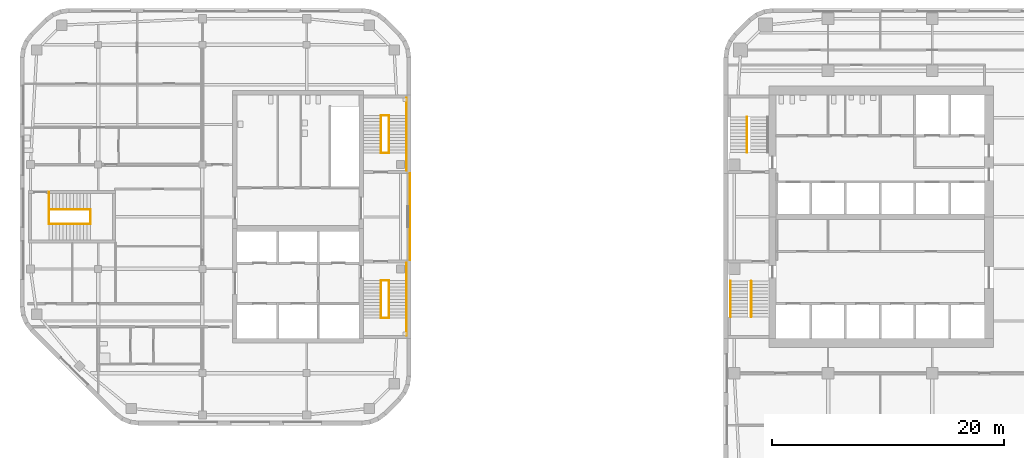
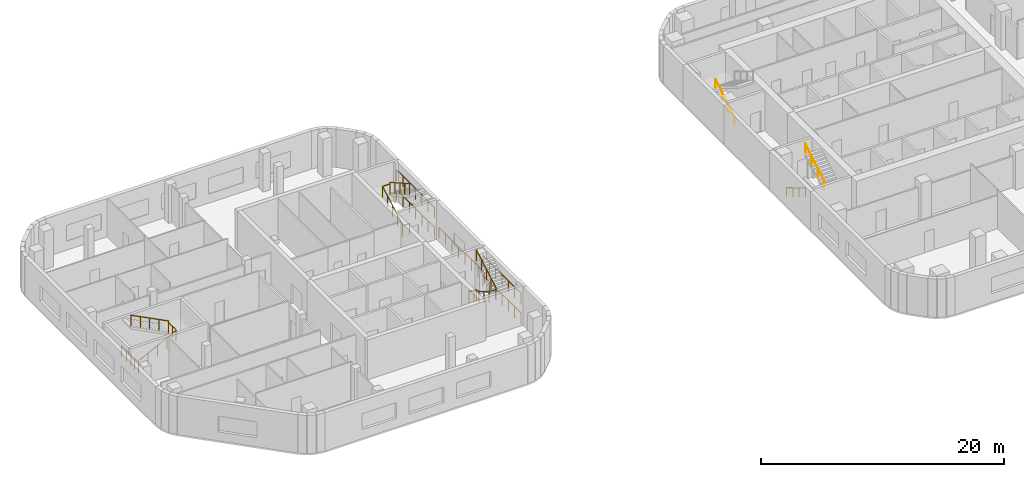
# One storey, part 12 of 14: 21 railings, 2 elements without a shape of their own.
"""IFC4 building model written with IfcOpenShell, lengths in metres."""

import ifcopenshell
import ifcopenshell.guid

model = None  # the IFC model being written
_history = None  # IfcOwnerHistory: only IFC2X3 demands one
_inside = {}  # id of a spatial element -> (the spatial element, [elements in it])
_under = {}  # id of a project, library or spatial element -> (it, [spatial elements below it])
_declared = {}  # id of a project -> (the project, [libraries it declares])
_typed = {}  # id of a type object -> (the type object, [elements of that type])
_made_of = {}  # id of a material, layer set ... -> (it, [elements and type objects made of it])


def new_model(schema):
    """Start an empty IFC model of exactly this schema.

    Asked for "IFC4X3", IfcOpenShell would pick the latest addendum, in which some entities
    have other attributes; the version numbers below select the first issue.
    IFC2X3 requires an IfcOwnerHistory on every rooted entity: one is made here for all.
    """
    global model, _history
    if schema == "IFC4X3":
        model = ifcopenshell.file(schema_version=(4, 3, 0, 0))
    else:
        model = ifcopenshell.file(schema=schema)
    _inside.clear()
    _under.clear()
    _declared.clear()
    _typed.clear()
    _made_of.clear()
    _history = None
    if model.schema == "IFC2X3":
        org = make("IfcOrganization", Name="unknown")
        user = make(
            "IfcPersonAndOrganization",
            ThePerson=make("IfcPerson", FamilyName="unknown"),
            TheOrganization=org,
        )
        app = make(
            "IfcApplication",
            ApplicationDeveloper=org,
            Version="unknown",
            ApplicationFullName="unknown",
            ApplicationIdentifier="unknown",
        )
        _history = make(
            "IfcOwnerHistory",
            OwningUser=user,
            OwningApplication=app,
            ChangeAction="ADDED",
            CreationDate=0,
        )
    return model


def make(cls, **values):
    """One entity of the class cls with the attributes given. An attribute that is None is left unset."""
    return model.create_entity(
        cls, **{name: value for name, value in values.items() if value is not None}
    )


def rooted(cls, **values):
    """An entity with a GlobalId (a new one), such as an element, a storey or a relation."""
    return make(cls, GlobalId=ifcopenshell.guid.new(), OwnerHistory=_history, **values)


def si_unit(unit_type, name, prefix=None):
    """IfcSIUnit, for example si_unit("LENGTHUNIT", "METRE", prefix="MILLI")."""
    return make("IfcSIUnit", UnitType=unit_type, Prefix=prefix, Name=name)


def assignment(units):
    """IfcUnitAssignment: the units of a project."""
    return None if units is None else make("IfcUnitAssignment", Units=units)


def point(xyz):
    """IfcCartesianPoint."""
    return None if xyz is None else make("IfcCartesianPoint", Coordinates=xyz)


def direction(xyz):
    """IfcDirection."""
    return None if xyz is None else make("IfcDirection", DirectionRatios=xyz)


def frame(location, z_axis=None, x_axis=None):
    """IfcAxis2Placement3D, a coordinate frame: its origin and axes. An axis left out is left unset."""
    return make(
        "IfcAxis2Placement3D",
        Location=point(location),
        Axis=direction(z_axis),
        RefDirection=direction(x_axis),
    )


def frame_2d(location, x_axis=None):
    """IfcAxis2Placement2D, a coordinate frame in the plane: its origin and x axis."""
    return make(
        "IfcAxis2Placement2D", Location=point(location), RefDirection=direction(x_axis)
    )


def origin():
    """The frame at (0, 0, 0) with its axes left unset."""
    return frame((0.0, 0.0, 0.0))


def origin_2d():
    """The frame at (0, 0) in the plane with its x axis left unset."""
    return frame_2d((0.0, 0.0))


def place(relative_to, where):
    """IfcLocalPlacement: puts the frame where relative to a parent placement (None: the world)."""
    return make(
        "IfcLocalPlacement", PlacementRelTo=relative_to, RelativePlacement=where
    )


def context(
    kind, dimensions, precision=None, world=None, true_north=None, identifier=None
):
    """IfcGeometricRepresentationContext, for example the 3D "Model" context."""
    return make(
        "IfcGeometricRepresentationContext",
        ContextIdentifier=identifier,
        ContextType=kind,
        CoordinateSpaceDimension=dimensions,
        Precision=precision,
        WorldCoordinateSystem=world,
        TrueNorth=true_north,
    )


def subcontext(parent, identifier, kind, view, scale=None):
    """IfcGeometricRepresentationSubContext, for example "Body" below "Model"."""
    return make(
        "IfcGeometricRepresentationSubContext",
        ContextIdentifier=identifier,
        ContextType=kind,
        ParentContext=parent,
        TargetScale=scale,
        TargetView=view,
    )


def project(units=None, contexts=None):
    """IfcProject with its units and contexts."""
    return rooted(
        "IfcProject",
        Name="project",
        RepresentationContexts=contexts,
        UnitsInContext=assignment(units),
    )


def spatial(cls, under=None, at=None, **own):
    """A site, building, storey or space (cls), placed at a placement, below another one or the project."""
    s = rooted(cls, ObjectPlacement=at, **own)
    if under is not None:
        _under.setdefault(under.id(), (under, []))[1].append(s)
    return s


def profile(cls, at=None, kind="AREA", **sizes):
    """A parametric profile (cls). Its sizes go by their IFC names, for example OverallWidth=200.0."""
    return make(cls, ProfileType=kind, Position=at, **sizes)


def circle(**sizes):
    """IfcCircleProfileDef."""
    return profile("IfcCircleProfileDef", **sizes)


def extrude(swept, where, along, depth):
    """IfcExtrudedAreaSolid: the profile swept, set in the frame where, extruded along a direction by depth."""
    return make(
        "IfcExtrudedAreaSolid",
        SweptArea=swept,
        Position=where,
        ExtrudedDirection=direction(along),
        Depth=depth,
    )


def shape(context_of_items, identifier, shape_type, items):
    """IfcShapeRepresentation: the items that make up one representation, for example the "Body"."""
    return make(
        "IfcShapeRepresentation",
        ContextOfItems=context_of_items,
        RepresentationIdentifier=identifier,
        RepresentationType=shape_type,
        Items=items,
    )


def material(Name=None, Category=None):
    """IfcMaterial."""
    return make("IfcMaterial", Name=Name, Category=Category)


def made_of(thing, what):
    """Note that an element or type object is made of a material, layer set ...; save() writes the relation."""
    if what is not None:
        _made_of.setdefault(what.id(), (what, []))[1].append(thing)
    return thing


def type_object(cls, material=None, **own):
    """A type object (cls), such as IfcWallType, which elements share."""
    return made_of(rooted(cls, **own), material)


def element(
    cls,
    number,
    at=None,
    inside=None,
    cuts=None,
    type_object=None,
    material=None,
    context=None,
    identifier="Body",
    shape_type=None,
    held_by="IfcProductDefinitionShape",
    body=None,
    shapes=None,
    **own,
):
    """One element of the class cls, such as IfcWall. Its Tag is "e" and its number.

    at: its placement. inside: the storey or other place that contains it. cuts: it is an
    opening in that element (IfcRelVoidsElement). A single representation is given by context,
    identifier, shape_type and body (its items); several are given by shapes. held_by: the class
    of the entity that holds the representations. save() writes the other relations.
    """
    e = rooted(cls, Tag="e%d" % number, ObjectPlacement=at, **own)
    if body is not None:
        shapes = [shape(context, identifier, shape_type, body)]
    if shapes is not None:
        e.Representation = make(held_by, Representations=shapes)
    if inside is not None:
        _inside.setdefault(inside.id(), (inside, []))[1].append(e)
    if cuts is not None:
        rooted(
            "IfcRelVoidsElement", RelatingBuildingElement=cuts, RelatedOpeningElement=e
        )
    if type_object is not None:
        _typed.setdefault(type_object.id(), (type_object, []))[1].append(e)
    return made_of(e, material)


def aggregate(whole, parts):
    """IfcRelAggregates: a whole, such as a stair, and the parts it consists of."""
    return rooted("IfcRelAggregates", RelatingObject=whole, RelatedObjects=parts)


def save(model, path):
    """Write the relations noted so far, then the file.

    IfcRelAggregates (storeys below a building ...), IfcRelContainedInSpatialStructure (elements
    in a storey), IfcRelDefinesByType, IfcRelAssociatesMaterial and IfcRelDeclares: one each for
    every whole, place, type object, material and project.
    """
    for whole, parts in _under.values():
        aggregate(whole, parts)
    for where, things in _inside.values():
        rooted(
            "IfcRelContainedInSpatialStructure",
            RelatedElements=things,
            RelatingStructure=where,
        )
    for kind, things in _typed.values():
        rooted("IfcRelDefinesByType", RelatedObjects=things, RelatingType=kind)
    for what, things in _made_of.values():
        rooted("IfcRelAssociatesMaterial", RelatedObjects=things, RelatingMaterial=what)
    for by, libraries in _declared.values():
        rooted("IfcRelDeclares", RelatingContext=by, RelatedDefinitions=libraries)
    model.write(path)


model = new_model("IFC4")

# Units and contexts
model_context = context("Model", 3, precision=1e-05, world=origin(), true_north=direction((0.0, 1.0)))
body_context = subcontext(model_context, "Body", "Model", "MODEL_VIEW")
ifc_project = project(units=[si_unit("LENGTHUNIT", "METRE"), si_unit("AREAUNIT", "SQUARE_METRE"), si_unit("VOLUMEUNIT", "CUBIC_METRE"), si_unit("PLANEANGLEUNIT", "RADIAN"), si_unit("MASSUNIT", "GRAM", prefix="KILO")], contexts=[model_context])

# Site, building, storey
site_placement = place(None, origin())
site = spatial("IfcSite", under=ifc_project, at=site_placement, CompositionType="ELEMENT")
building_placement = place(site_placement, origin())
building = spatial("IfcBuilding", under=site, at=building_placement, Name="Cinnabar Reach Civic Tower", CompositionType="ELEMENT")
storey_placement = place(building_placement, frame((0.0, 0.0, 112.0)))
storey = spatial("IfcBuildingStorey", under=building, at=storey_placement, Name="L26", CompositionType="ELEMENT", Elevation=112.0)

# Stair, railings
ifc_material_1 = material(Name="Concrete C40/50", Category="concrete")
stair_type = type_object("IfcStairType", Name="T1 Exit stair, half-turn", PredefinedType="HALF_TURN_STAIR", material=ifc_material_1)
stair_1_placement = place(storey_placement, origin())
stair_1 = element("IfcStair", 1, at=stair_1_placement, inside=storey, type_object=stair_type, Name="Stair T1-S1", PredefinedType="HALF_TURN_STAIR")
ifc_material_2 = material(Name="Stainless steel tube", Category="steel")
railing_type_1 = type_object("IfcRailingType", Name="T1 Stair handrail, stainless tube 48", PredefinedType="HANDRAIL", material=ifc_material_2)
railing_1_placement = place(storey_placement, frame((0.6, 25.95, 0.1667)))
railing_1 = element("IfcRailing", 2, at=railing_1_placement, type_object=railing_type_1, Name="T1-S1 handrail 1", PredefinedType="HANDRAIL", context=body_context, shape_type="SweptSolid", body=[
    extrude(circle(Radius=0.024, at=origin_2d()), frame((0.0, 0.0, 0.876), z_axis=(0.0, -0.859296971757, 0.511476992962), x_axis=(1.0, 0.0, 0.0)), (0.0, 0.0, 1.0), 3.5843),
    extrude(circle(Radius=0.021, at=origin_2d()), origin(), (0.0, 0.0, 1.0), 0.852),
    extrude(circle(Radius=0.021, at=origin_2d()), frame((0.0, -1.0267, 0.6111)), (0.0, 0.0, 1.0), 0.852),
    extrude(circle(Radius=0.021, at=origin_2d()), frame((0.0, -2.0533, 1.2222)), (0.0, 0.0, 1.0), 0.852),
    extrude(circle(Radius=0.021, at=origin_2d()), frame((0.0, -3.08, 1.8333)), (0.0, 0.0, 1.0), 0.852),
])
railing_2_placement = place(storey_placement, frame((2.375, 22.87, 2.1667)))
railing_2 = element("IfcRailing", 3, at=railing_2_placement, type_object=railing_type_1, Name="T1-S1 handrail 2", PredefinedType="HANDRAIL", context=body_context, shape_type="SweptSolid", body=[
    extrude(circle(Radius=0.024, at=origin_2d()), frame((0.0, 0.0, 0.876), z_axis=(0.0, 0.859296971757, 0.511476992962), x_axis=(-1.0, 0.0, 0.0)), (0.0, 0.0, 1.0), 3.5843),
    extrude(circle(Radius=0.021, at=origin_2d()), origin(), (0.0, 0.0, 1.0), 0.852),
    extrude(circle(Radius=0.021, at=origin_2d()), frame((0.0, 1.0267, 0.6111)), (0.0, 0.0, 1.0), 0.852),
    extrude(circle(Radius=0.021, at=origin_2d()), frame((0.0, 2.0533, 1.2222)), (0.0, 0.0, 1.0), 0.852),
    extrude(circle(Radius=0.021, at=origin_2d()), frame((0.0, 3.08, 1.8333)), (0.0, 0.0, 1.0), 0.852),
])
aggregate(stair_1, [railing_1, railing_2])

# Stair, railing
stair_2_placement = place(storey_placement, origin())
stair_2 = element("IfcStair", 4, at=stair_2_placement, inside=storey, type_object=stair_type, Name="Stair T1-S2", PredefinedType="HALF_TURN_STAIR")
railing_3_placement = place(storey_placement, frame((2.025, 37.05, 0.1667)))
railing_3 = element("IfcRailing", 5, at=railing_3_placement, type_object=railing_type_1, Name="T1-S2 handrail 1", PredefinedType="HANDRAIL", context=body_context, shape_type="SweptSolid", body=[
    extrude(circle(Radius=0.024, at=origin_2d()), frame((0.0, 0.0, 0.876), z_axis=(0.0, 0.859296971757, 0.511476992962), x_axis=(-1.0, 0.0, 0.0)), (0.0, 0.0, 1.0), 3.5843),
    extrude(circle(Radius=0.021, at=origin_2d()), origin(), (0.0, 0.0, 1.0), 0.852),
    extrude(circle(Radius=0.021, at=origin_2d()), frame((0.0, 1.0267, 0.6111)), (0.0, 0.0, 1.0), 0.852),
    extrude(circle(Radius=0.021, at=origin_2d()), frame((0.0, 2.0533, 1.2222)), (0.0, 0.0, 1.0), 0.852),
    extrude(circle(Radius=0.021, at=origin_2d()), frame((0.0, 3.08, 1.8333)), (0.0, 0.0, 1.0), 0.852),
])
aggregate(stair_2, [railing_3])

# Railings
ifc_material_3 = material(Name="Stainless steel", Category="steel")
railing_type_2 = type_object("IfcRailingType", Name="T2 Stair guard 1100", PredefinedType="GUARDRAIL", material=ifc_material_3)
railing_4_placement = place(storey_placement, frame((-27.1, 27.75, 0.0)))
element("IfcRailing", 6, at=railing_4_placement, inside=storey, type_object=railing_type_2, Name="Corridor end guard", PredefinedType="GUARDRAIL", context=body_context, shape_type="SweptSolid", body=[
    extrude(circle(Radius=0.024, at=origin_2d()), frame((0.0, 0.0, 1.076), z_axis=(0.0, 1.0, 0.0), x_axis=(-1.0, 0.0, 0.0)), (0.0, 0.0, 1.0), 7.5),
    extrude(circle(Radius=0.021, at=origin_2d()), origin(), (0.0, 0.0, 1.0), 1.052),
    extrude(circle(Radius=0.021, at=origin_2d()), frame((0.0, 1.0714, 0.0)), (0.0, 0.0, 1.0), 1.052),
    extrude(circle(Radius=0.021, at=origin_2d()), frame((0.0, 2.1429, 0.0)), (0.0, 0.0, 1.0), 1.052),
    extrude(circle(Radius=0.021, at=origin_2d()), frame((0.0, 3.2143, 0.0)), (0.0, 0.0, 1.0), 1.052),
    extrude(circle(Radius=0.021, at=origin_2d()), frame((0.0, 4.2857, 0.0)), (0.0, 0.0, 1.0), 1.052),
    extrude(circle(Radius=0.021, at=origin_2d()), frame((0.0, 5.3571, 0.0)), (0.0, 0.0, 1.0), 1.052),
    extrude(circle(Radius=0.021, at=origin_2d()), frame((0.0, 6.4286, 0.0)), (0.0, 0.0, 1.0), 1.052),
    extrude(circle(Radius=0.021, at=origin_2d()), frame((0.0, 7.5, 0.0)), (0.0, 0.0, 1.0), 1.052),
])
for number, where, name in (
    (7, (-27.4, 21.25, 0.0), "Stair guard 1"),
    (8, (-27.4, 21.25, 2.0), "Stair guard 1"),
):
    element("IfcRailing", number, at=place(storey_placement, frame(where)), inside=storey, type_object=railing_type_2, Name=name, PredefinedType="GUARDRAIL", context=body_context, shape_type="SweptSolid", body=[
        extrude(circle(Radius=0.024, at=origin_2d()), frame((0.0, 0.0, 1.076), z_axis=(0.0, 1.0, 0.0), x_axis=(-1.0, 0.0, 0.0)), (0.0, 0.0, 1.0), 6.25),
        extrude(circle(Radius=0.021, at=origin_2d()), origin(), (0.0, 0.0, 1.0), 1.052),
        extrude(circle(Radius=0.021, at=origin_2d()), frame((0.0, 1.0417, 0.0)), (0.0, 0.0, 1.0), 1.052),
        extrude(circle(Radius=0.021, at=origin_2d()), frame((0.0, 2.0833, 0.0)), (0.0, 0.0, 1.0), 1.052),
        extrude(circle(Radius=0.021, at=origin_2d()), frame((0.0, 3.125, 0.0)), (0.0, 0.0, 1.0), 1.052),
        extrude(circle(Radius=0.021, at=origin_2d()), frame((0.0, 4.1667, 0.0)), (0.0, 0.0, 1.0), 1.052),
        extrude(circle(Radius=0.021, at=origin_2d()), frame((0.0, 5.2083, 0.0)), (0.0, 0.0, 1.0), 1.052),
        extrude(circle(Radius=0.021, at=origin_2d()), frame((0.0, 6.25, 0.0)), (0.0, 0.0, 1.0), 1.052),
    ])
for number, where, name in (
    (9, (-29.6, 26.0, 0.0), "Stair guard 1"),
    (10, (-29.6, 22.75, 2.0), "Stair guard 1"),
):
    element("IfcRailing", number, at=place(storey_placement, frame(where)), inside=storey, type_object=railing_type_2, Name=name, PredefinedType="GUARDRAIL", context=body_context, shape_type="SweptSolid", body=[
        extrude(circle(Radius=0.024, at=origin_2d()), frame((0.0, 0.0, 1.076), z_axis=(1.0, 0.0, 0.0), x_axis=(0.0, 1.0, 0.0)), (0.0, 0.0, 1.0), 0.7),
        extrude(circle(Radius=0.021, at=origin_2d()), origin(), (0.0, 0.0, 1.0), 1.052),
        extrude(circle(Radius=0.021, at=origin_2d()), frame((0.7, 0.0, 0.0)), (0.0, 0.0, 1.0), 1.052),
    ])
railing_5_placement = place(storey_placement, frame((-29.6, 26.0, 0.1538)))
element("IfcRailing", 11, at=railing_5_placement, inside=storey, type_object=railing_type_2, Name="Stair guard 1", PredefinedType="GUARDRAIL", context=body_context, shape_type="SweptSolid", body=[
    extrude(circle(Radius=0.024, at=origin_2d()), frame((0.0, 0.0, 1.076), z_axis=(0.0, -0.869501474428, 0.493930345258), x_axis=(1.0, 0.0, 0.0)), (0.0, 0.0, 1.0), 3.7378),
    extrude(circle(Radius=0.021, at=origin_2d()), origin(), (0.0, 0.0, 1.0), 1.052),
    extrude(circle(Radius=0.021, at=origin_2d()), frame((0.0, -0.8125, 0.4615)), (0.0, 0.0, 1.0), 1.052),
    extrude(circle(Radius=0.021, at=origin_2d()), frame((0.0, -1.625, 0.9231)), (0.0, 0.0, 1.0), 1.052),
    extrude(circle(Radius=0.021, at=origin_2d()), frame((0.0, -2.4375, 1.3846)), (0.0, 0.0, 1.0), 1.052),
    extrude(circle(Radius=0.021, at=origin_2d()), frame((0.0, -3.25, 1.8462)), (0.0, 0.0, 1.0), 1.052),
])
railing_6_placement = place(storey_placement, frame((-28.9, 22.75, 2.1538)))
element("IfcRailing", 12, at=railing_6_placement, inside=storey, type_object=railing_type_2, Name="Stair guard 1", PredefinedType="GUARDRAIL", context=body_context, shape_type="SweptSolid", body=[
    extrude(circle(Radius=0.024, at=origin_2d()), frame((0.0, 0.0, 1.076), z_axis=(0.0, 0.869501474428, 0.493930345258), x_axis=(-1.0, 0.0, 0.0)), (0.0, 0.0, 1.0), 3.7378),
    extrude(circle(Radius=0.021, at=origin_2d()), origin(), (0.0, 0.0, 1.0), 1.052),
    extrude(circle(Radius=0.021, at=origin_2d()), frame((0.0, 0.8125, 0.4615)), (0.0, 0.0, 1.0), 1.052),
    extrude(circle(Radius=0.021, at=origin_2d()), frame((0.0, 1.625, 0.9231)), (0.0, 0.0, 1.0), 1.052),
    extrude(circle(Radius=0.021, at=origin_2d()), frame((0.0, 2.4375, 1.3846)), (0.0, 0.0, 1.0), 1.052),
    extrude(circle(Radius=0.021, at=origin_2d()), frame((0.0, 3.25, 1.8462)), (0.0, 0.0, 1.0), 1.052),
])
for number, where, name in (
    (13, (-27.4, 35.5, 0.0), "Stair guard 2"),
    (14, (-27.4, 35.5, 2.0), "Stair guard 2"),
):
    element("IfcRailing", number, at=place(storey_placement, frame(where)), inside=storey, type_object=railing_type_2, Name=name, PredefinedType="GUARDRAIL", context=body_context, shape_type="SweptSolid", body=[
        extrude(circle(Radius=0.024, at=origin_2d()), frame((0.0, 0.0, 1.076), z_axis=(0.0, 1.0, 0.0), x_axis=(-1.0, 0.0, 0.0)), (0.0, 0.0, 1.0), 6.25),
        extrude(circle(Radius=0.021, at=origin_2d()), origin(), (0.0, 0.0, 1.0), 1.052),
        extrude(circle(Radius=0.021, at=origin_2d()), frame((0.0, 1.0417, 0.0)), (0.0, 0.0, 1.0), 1.052),
        extrude(circle(Radius=0.021, at=origin_2d()), frame((0.0, 2.0833, 0.0)), (0.0, 0.0, 1.0), 1.052),
        extrude(circle(Radius=0.021, at=origin_2d()), frame((0.0, 3.125, 0.0)), (0.0, 0.0, 1.0), 1.052),
        extrude(circle(Radius=0.021, at=origin_2d()), frame((0.0, 4.1667, 0.0)), (0.0, 0.0, 1.0), 1.052),
        extrude(circle(Radius=0.021, at=origin_2d()), frame((0.0, 5.2083, 0.0)), (0.0, 0.0, 1.0), 1.052),
        extrude(circle(Radius=0.021, at=origin_2d()), frame((0.0, 6.25, 0.0)), (0.0, 0.0, 1.0), 1.052),
    ])
for number, where, name in (
    (15, (-29.6, 37.0, 0.0), "Stair guard 2"),
    (16, (-29.6, 40.25, 2.0), "Stair guard 2"),
):
    element("IfcRailing", number, at=place(storey_placement, frame(where)), inside=storey, type_object=railing_type_2, Name=name, PredefinedType="GUARDRAIL", context=body_context, shape_type="SweptSolid", body=[
        extrude(circle(Radius=0.024, at=origin_2d()), frame((0.0, 0.0, 1.076), z_axis=(1.0, 0.0, 0.0), x_axis=(0.0, 1.0, 0.0)), (0.0, 0.0, 1.0), 0.7),
        extrude(circle(Radius=0.021, at=origin_2d()), origin(), (0.0, 0.0, 1.0), 1.052),
        extrude(circle(Radius=0.021, at=origin_2d()), frame((0.7, 0.0, 0.0)), (0.0, 0.0, 1.0), 1.052),
    ])
railing_7_placement = place(storey_placement, frame((-29.6, 37.0, 0.1538)))
element("IfcRailing", 17, at=railing_7_placement, inside=storey, type_object=railing_type_2, Name="Stair guard 2", PredefinedType="GUARDRAIL", context=body_context, shape_type="SweptSolid", body=[
    extrude(circle(Radius=0.024, at=origin_2d()), frame((0.0, 0.0, 1.076), z_axis=(0.0, 0.869501474428, 0.493930345258), x_axis=(-1.0, 0.0, 0.0)), (0.0, 0.0, 1.0), 3.7378),
    extrude(circle(Radius=0.021, at=origin_2d()), origin(), (0.0, 0.0, 1.0), 1.052),
    extrude(circle(Radius=0.021, at=origin_2d()), frame((0.0, 0.8125, 0.4615)), (0.0, 0.0, 1.0), 1.052),
    extrude(circle(Radius=0.021, at=origin_2d()), frame((0.0, 1.625, 0.9231)), (0.0, 0.0, 1.0), 1.052),
    extrude(circle(Radius=0.021, at=origin_2d()), frame((0.0, 2.4375, 1.3846)), (0.0, 0.0, 1.0), 1.052),
    extrude(circle(Radius=0.021, at=origin_2d()), frame((0.0, 3.25, 1.8462)), (0.0, 0.0, 1.0), 1.052),
])
railing_8_placement = place(storey_placement, frame((-28.9, 40.25, 2.1538)))
element("IfcRailing", 18, at=railing_8_placement, inside=storey, type_object=railing_type_2, Name="Stair guard 2", PredefinedType="GUARDRAIL", context=body_context, shape_type="SweptSolid", body=[
    extrude(circle(Radius=0.024, at=origin_2d()), frame((0.0, 0.0, 1.076), z_axis=(0.0, -0.869501474428, 0.493930345258), x_axis=(1.0, 0.0, 0.0)), (0.0, 0.0, 1.0), 3.7378),
    extrude(circle(Radius=0.021, at=origin_2d()), origin(), (0.0, 0.0, 1.0), 1.052),
    extrude(circle(Radius=0.021, at=origin_2d()), frame((0.0, -0.8125, 0.4615)), (0.0, 0.0, 1.0), 1.052),
    extrude(circle(Radius=0.021, at=origin_2d()), frame((0.0, -1.625, 0.9231)), (0.0, 0.0, 1.0), 1.052),
    extrude(circle(Radius=0.021, at=origin_2d()), frame((0.0, -2.4375, 1.3846)), (0.0, 0.0, 1.0), 1.052),
    extrude(circle(Radius=0.021, at=origin_2d()), frame((0.0, -3.25, 1.8462)), (0.0, 0.0, 1.0), 1.052),
])
railing_9_placement = place(storey_placement, frame((-58.25, 30.875, 0.0)))
element("IfcRailing", 19, at=railing_9_placement, inside=storey, type_object=railing_type_2, Name="Stair guard 3", PredefinedType="GUARDRAIL", context=body_context, shape_type="SweptSolid", body=[
    extrude(circle(Radius=0.024, at=origin_2d()), frame((0.0, 0.0, 1.076), z_axis=(0.0, 1.0, 0.0), x_axis=(-1.0, 0.0, 0.0)), (0.0, 0.0, 1.0), 1.25),
    extrude(circle(Radius=0.021, at=origin_2d()), origin(), (0.0, 0.0, 1.0), 1.052),
    extrude(circle(Radius=0.021, at=origin_2d()), frame((0.0, 0.625, 0.0)), (0.0, 0.0, 1.0), 1.052),
    extrude(circle(Radius=0.021, at=origin_2d()), frame((0.0, 1.25, 0.0)), (0.0, 0.0, 1.0), 1.052),
])
railing_10_placement = place(storey_placement, frame((-58.25, 32.125, 0.0)))
element("IfcRailing", 20, at=railing_10_placement, inside=storey, type_object=railing_type_2, Name="Stair guard 3", PredefinedType="GUARDRAIL", context=body_context, shape_type="SweptSolid", body=[
    extrude(circle(Radius=0.024, at=origin_2d()), frame((0.0, 0.0, 1.076), z_axis=(0.0, 1.0, 0.0), x_axis=(-1.0, 0.0, 0.0)), (0.0, 0.0, 1.0), 1.5),
    extrude(circle(Radius=0.021, at=origin_2d()), origin(), (0.0, 0.0, 1.0), 1.052),
    extrude(circle(Radius=0.021, at=origin_2d()), frame((0.0, 0.75, 0.0)), (0.0, 0.0, 1.0), 1.052),
    extrude(circle(Radius=0.021, at=origin_2d()), frame((0.0, 1.5, 0.0)), (0.0, 0.0, 1.0), 1.052),
])
railing_11_placement = place(storey_placement, frame((-54.65, 30.875, 2.0)))
element("IfcRailing", 21, at=railing_11_placement, inside=storey, type_object=railing_type_2, Name="Stair guard 3", PredefinedType="GUARDRAIL", context=body_context, shape_type="SweptSolid", body=[
    extrude(circle(Radius=0.024, at=origin_2d()), frame((0.0, 0.0, 1.076), z_axis=(0.0, 1.0, 0.0), x_axis=(-1.0, 0.0, 0.0)), (0.0, 0.0, 1.0), 1.25),
    extrude(circle(Radius=0.021, at=origin_2d()), origin(), (0.0, 0.0, 1.0), 1.052),
    extrude(circle(Radius=0.021, at=origin_2d()), frame((0.0, 0.625, 0.0)), (0.0, 0.0, 1.0), 1.052),
    extrude(circle(Radius=0.021, at=origin_2d()), frame((0.0, 1.25, 0.0)), (0.0, 0.0, 1.0), 1.052),
])
railing_12_placement = place(storey_placement, frame((-58.25, 30.875, 0.1538)))
element("IfcRailing", 22, at=railing_12_placement, inside=storey, type_object=railing_type_2, Name="Stair guard 3", PredefinedType="GUARDRAIL", context=body_context, shape_type="SweptSolid", body=[
    extrude(circle(Radius=0.024, at=origin_2d()), frame((0.0, 0.0, 1.076), z_axis=(0.889812830738, 0.0, 0.45632568003), x_axis=(0.0, 1.0, 0.0)), (0.0, 0.0, 1.0), 4.0458),
    extrude(circle(Radius=0.021, at=origin_2d()), origin(), (0.0, 0.0, 1.0), 1.052),
    extrude(circle(Radius=0.021, at=origin_2d()), frame((0.9, 0.0, 0.4615)), (0.0, 0.0, 1.0), 1.052),
    extrude(circle(Radius=0.021, at=origin_2d()), frame((1.8, 0.0, 0.9231)), (0.0, 0.0, 1.0), 1.052),
    extrude(circle(Radius=0.021, at=origin_2d()), frame((2.7, 0.0, 1.3846)), (0.0, 0.0, 1.0), 1.052),
    extrude(circle(Radius=0.021, at=origin_2d()), frame((3.6, 0.0, 1.8462)), (0.0, 0.0, 1.0), 1.052),
])
railing_13_placement = place(storey_placement, frame((-54.65, 32.125, 2.1538)))
element("IfcRailing", 23, at=railing_13_placement, inside=storey, type_object=railing_type_2, Name="Stair guard 3", PredefinedType="GUARDRAIL", context=body_context, shape_type="SweptSolid", body=[
    extrude(circle(Radius=0.024, at=origin_2d()), frame((0.0, 0.0, 1.076), z_axis=(-0.889812830738, 0.0, 0.45632568003), x_axis=(0.0, -1.0, 0.0)), (0.0, 0.0, 1.0), 4.0458),
    extrude(circle(Radius=0.021, at=origin_2d()), origin(), (0.0, 0.0, 1.0), 1.052),
    extrude(circle(Radius=0.021, at=origin_2d()), frame((-0.9, 0.0, 0.4615)), (0.0, 0.0, 1.0), 1.052),
    extrude(circle(Radius=0.021, at=origin_2d()), frame((-1.8, 0.0, 0.9231)), (0.0, 0.0, 1.0), 1.052),
    extrude(circle(Radius=0.021, at=origin_2d()), frame((-2.7, 0.0, 1.3846)), (0.0, 0.0, 1.0), 1.052),
    extrude(circle(Radius=0.021, at=origin_2d()), frame((-3.6, 0.0, 1.8462)), (0.0, 0.0, 1.0), 1.052),
])

save(model, "model.ifc")
